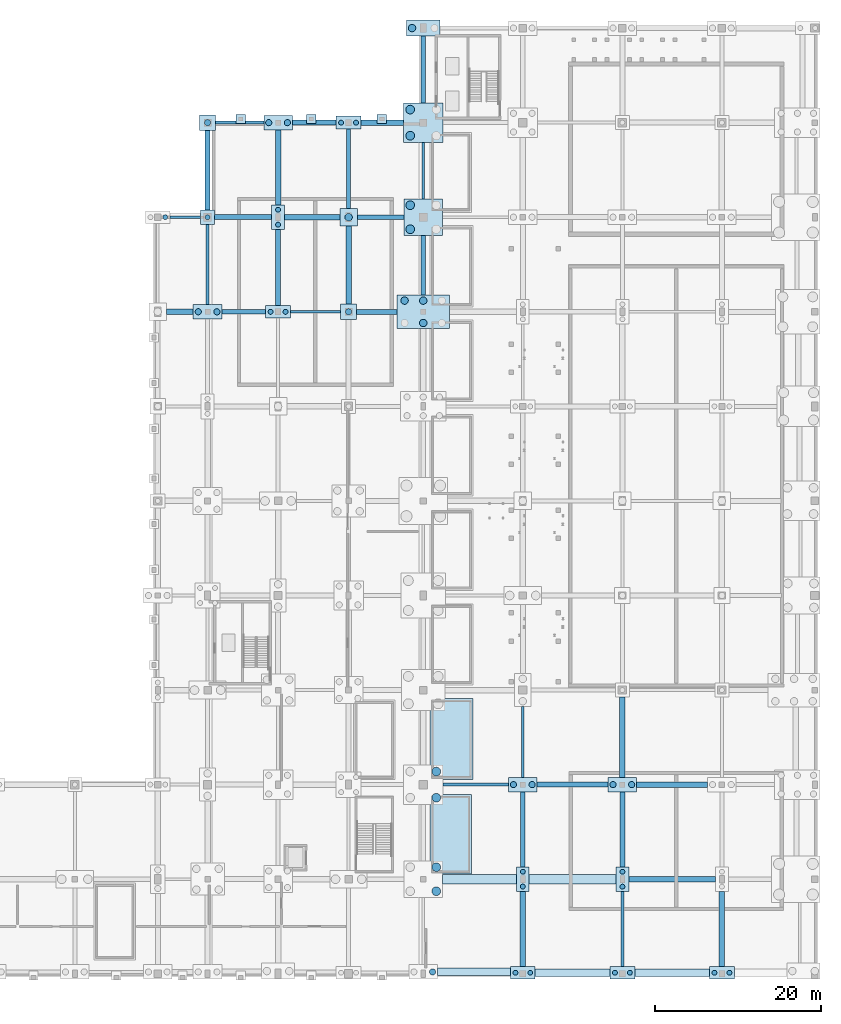
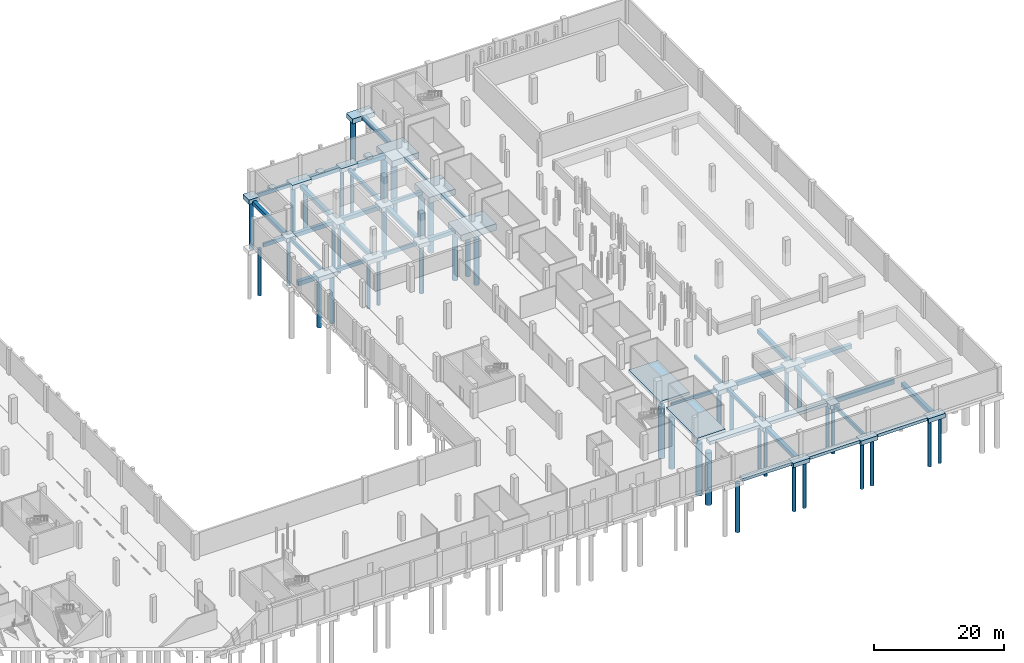
# One storey, part 7 of 34: 61 footings, 42 piles.
"""IFC4 building model written with IfcOpenShell, lengths in metres."""

from ifc_helpers import new_model, si_unit, direction, frame, origin, origin_2d, place, context, subcontext, project, spatial, rectangle, circle, extrude, material, material_profile, profile_set, type_object, element, save


model = new_model("IFC4")

# Units and contexts
model_context = context("Model", 3, precision=1e-05, world=origin(), true_north=direction((0.0, 1.0)))
body_context = subcontext(model_context, "Body", "Model", "MODEL_VIEW")
ifc_project = project(units=[si_unit("LENGTHUNIT", "METRE"), si_unit("AREAUNIT", "SQUARE_METRE"), si_unit("VOLUMEUNIT", "CUBIC_METRE"), si_unit("PLANEANGLEUNIT", "RADIAN"), si_unit("MASSUNIT", "GRAM", prefix="KILO"), si_unit("POWERUNIT", "WATT"), si_unit("THERMODYNAMICTEMPERATUREUNIT", "KELVIN")], contexts=[model_context])

# Site, building, storey
site_placement = place(None, origin())
site = spatial("IfcSite", under=ifc_project, at=site_placement, CompositionType="ELEMENT")
building_placement = place(site_placement, origin())
building = spatial("IfcBuilding", under=site, at=building_placement, Name="Kelmbourne Parkland Aquatics Centre", CompositionType="ELEMENT")
storey_placement = place(building_placement, frame((0.0, 0.0, -4.800048828125)))
storey = spatial("IfcBuildingStorey", under=building, at=storey_placement, Name="B1", CompositionType="ELEMENT", Elevation=-4.800048828125)

# Footings
ifc_material = material(Name="Waterproof concrete C50/60", Category="concrete")
footing_type_1 = type_object("IfcFootingType", Name="FT-FB1", PredefinedType="FOOTING_BEAM", material=ifc_material)
footing_1_placement = place(storey_placement, frame((106.362548828125, 80.60009765625, -1.099853515625), z_axis=(0.0, 0.0, 1.0), x_axis=(1.0, 0.0, 0.0)))
element("IfcFooting", 1, at=footing_1_placement, inside=storey, type_object=footing_type_1, Name="Ground tie beam M-N on Grid 11", PredefinedType="FOOTING_BEAM", context=body_context, shape_type="SweptSolid", body=[
    extrude(rectangle(XDim=5.27490234375, YDim=0.5, at=origin_2d()), origin(), (0.0, 0.0, 1.0), 0.64990234375),
])
footing_2_placement = place(storey_placement, frame((122.862548828125, 92.0, -1.099853515625), z_axis=(0.0, 0.0, 1.0), x_axis=(1.0, 0.0, 0.0)))
element("IfcFooting", 2, at=footing_2_placement, inside=storey, type_object=footing_type_1, Name="Ground tie beam O-P on Grid 12", PredefinedType="FOOTING_BEAM", context=body_context, shape_type="SweptSolid", body=[
    extrude(rectangle(XDim=5.625, YDim=0.5, at=origin_2d()), origin(), (0.0, 0.0, 1.0), 0.64990234375),
])
footing_3_placement = place(storey_placement, frame((119.0, 97.83740234375, -1.099853515625), z_axis=(0.0, 0.0, 1.0), x_axis=(0.0, 1.0, 0.0)))
element("IfcFooting", 3, at=footing_3_placement, inside=storey, type_object=footing_type_1, Name="Ground tie beam 12-13 on Grid O", PredefinedType="FOOTING_BEAM", context=body_context, shape_type="SweptSolid", body=[
    extrude(rectangle(XDim=9.574951171875, YDim=0.5, at=origin_2d()), origin(), (0.0, 0.0, 1.0), 0.64990234375),
])
footing_4_placement = place(storey_placement, frame((128.0, 86.199951171875, -1.099853515625), z_axis=(0.0, 0.0, 1.0), x_axis=(0.0, 1.0, 0.0)))
element("IfcFooting", 4, at=footing_4_placement, inside=storey, type_object=footing_type_1, Name="Ground tie beam 11-12 on Grid P", PredefinedType="FOOTING_BEAM", context=body_context, shape_type="SweptSolid", body=[
    extrude(rectangle(XDim=7.14990234375, YDim=0.5, at=origin_2d()), origin(), (0.0, 0.0, 1.0), 0.64990234375),
])
footing_5_placement = place(storey_placement, frame((140.0, 18.21240234375, -1.099853515625), z_axis=(0.0, 0.0, 1.0), x_axis=(0.0, 1.0, 0.0)))
element("IfcFooting", 5, at=footing_5_placement, inside=storey, type_object=footing_type_1, Name="Ground tie beam 03-04 on Grid Q", PredefinedType="FOOTING_BEAM", context=body_context, shape_type="SweptSolid", body=[
    extrude(rectangle(XDim=9.02490234375, YDim=0.5, at=origin_2d()), origin(), (0.0, 0.0, 1.0), 0.64990234375),
])
footing_type_2 = type_object("IfcFootingType", Name="FT-FB2", PredefinedType="FOOTING_BEAM", material=ifc_material)
footing_6_placement = place(storey_placement, frame((134.324951171875, 23.60009765625, -1.14990234375), z_axis=(0.0, 0.0, 1.0), x_axis=(1.0, 0.0, 0.0)))
element("IfcFooting", 6, at=footing_6_placement, inside=storey, type_object=footing_type_2, Name="Ground tie beam P-Q on Grid 04", PredefinedType="FOOTING_BEAM", context=body_context, shape_type="SweptSolid", body=[
    extrude(rectangle(XDim=7.89990234375, YDim=0.35009765625, at=origin_2d()), origin(), (0.0, 0.0, 1.0), 0.699951171875),
])
footing_7_placement = place(storey_placement, frame((115.02490234375, 80.60009765625, -1.14990234375), z_axis=(0.0, 0.0, 1.0), x_axis=(1.0, 0.0, 0.0)))
element("IfcFooting", 7, at=footing_7_placement, inside=storey, type_object=footing_type_2, Name="Ground tie beam N-O on Grid 11", PredefinedType="FOOTING_BEAM", context=body_context, shape_type="SweptSolid", body=[
    extrude(rectangle(XDim=6.050048828125, YDim=0.35009765625, at=origin_2d()), origin(), (0.0, 0.0, 1.0), 0.699951171875),
])
footing_8_placement = place(storey_placement, frame((99.324951171875, 92.0, -1.14990234375), z_axis=(0.0, 0.0, 1.0), x_axis=(1.0, 0.0, 0.0)))
element("IfcFooting", 8, at=footing_8_placement, inside=storey, type_object=footing_type_2, Name="Ground tie beam L-M on Grid 12", PredefinedType="FOOTING_BEAM", context=body_context, shape_type="SweptSolid", body=[
    extrude(rectangle(XDim=3.64990234375, YDim=0.35009765625, at=origin_2d()), origin(), (0.0, 0.0, 1.0), 0.699951171875),
])
footing_9_placement = place(storey_placement, frame((105.862548828125, 103.39990234375, -0.69970703125), z_axis=(0.0, 0.0, 1.0), x_axis=(1.0, 0.0, 0.0)))
element("IfcFooting", 9, at=footing_9_placement, inside=storey, type_object=footing_type_2, Name="Ground tie beam M-N on Grid 13", PredefinedType="FOOTING_BEAM", context=body_context, shape_type="SweptSolid", body=[
    extrude(rectangle(XDim=5.824951171875, YDim=0.35009765625, at=origin_2d()), origin(), (0.0, 0.0, 1.0), 0.699951171875),
])
footing_10_placement = place(storey_placement, frame((102.0, 86.3125, -1.14990234375), z_axis=(0.0, 0.0, 1.0), x_axis=(0.0, 1.0, 0.0)))
element("IfcFooting", 10, at=footing_10_placement, inside=storey, type_object=footing_type_2, Name="Ground tie beam 11-12 on Grid M", PredefinedType="FOOTING_BEAM", context=body_context, shape_type="SweptSolid", body=[
    extrude(rectangle(XDim=9.675048828125, YDim=0.35009765625, at=origin_2d()), origin(), (0.0, 0.0, 1.0), 0.699951171875),
])
footing_11_placement = place(storey_placement, frame((128.0, 97.625, -1.14990234375), z_axis=(0.0, 0.0, 1.0), x_axis=(0.0, 1.0, 0.0)))
element("IfcFooting", 11, at=footing_11_placement, inside=storey, type_object=footing_type_2, Name="Ground tie beam 12-13 on Grid P", PredefinedType="FOOTING_BEAM", context=body_context, shape_type="SweptSolid", body=[
    extrude(rectangle(XDim=6.800048828125, YDim=0.35009765625, at=origin_2d()), origin(), (0.0, 0.0, 1.0), 0.699951171875),
])
footing_12_placement = place(storey_placement, frame((140.0, 28.737548828125, -1.14990234375), z_axis=(0.0, 0.0, 1.0), x_axis=(0.0, 1.0, 0.0)))
element("IfcFooting", 12, at=footing_12_placement, inside=storey, type_object=footing_type_2, Name="Ground tie beam 04-05 on Grid Q", PredefinedType="FOOTING_BEAM", context=body_context, shape_type="SweptSolid", body=[
    extrude(rectangle(XDim=8.52490234375, YDim=0.35009765625, at=origin_2d()), origin(), (0.0, 0.0, 1.0), 0.699951171875),
])
footing_13_placement = place(storey_placement, frame((152.0, 6.199951171875, -1.14990234375), z_axis=(0.0, 0.0, 1.0), x_axis=(0.0, 1.0, 0.0)))
element("IfcFooting", 13, at=footing_13_placement, inside=storey, type_object=footing_type_2, Name="Ground tie beam 01-03 on Grid R", PredefinedType="FOOTING_BEAM", context=body_context, shape_type="SweptSolid", body=[
    extrude(rectangle(XDim=9.0, YDim=0.35009765625, at=origin_2d()), origin(), (0.0, 0.0, 1.0), 0.699951171875),
])
footing_type_3 = type_object("IfcFootingType", Name="FT-FB3", PredefinedType="FOOTING_BEAM", material=ifc_material)
footing_14_placement = place(storey_placement, frame((146.0, 23.60009765625, -1.199951171875), z_axis=(0.0, 0.0, 1.0), x_axis=(1.0, 0.0, 0.0)))
element("IfcFooting", 14, at=footing_14_placement, inside=storey, type_object=footing_type_3, Name="Ground tie beam Q-R on Grid 04", PredefinedType="FOOTING_BEAM", context=body_context, shape_type="SweptSolid", body=[
    extrude(rectangle(XDim=8.550048828125, YDim=0.60009765625, at=origin_2d()), origin(), (0.0, 0.0, 1.0), 0.75),
])
footing_15_placement = place(storey_placement, frame((122.39990234375, 80.60009765625, -1.199951171875), z_axis=(0.0, 0.0, 1.0), x_axis=(1.0, 0.0, 0.0)))
element("IfcFooting", 15, at=footing_15_placement, inside=storey, type_object=footing_type_3, Name="Ground tie beam O-P on Grid 11", PredefinedType="FOOTING_BEAM", context=body_context, shape_type="SweptSolid", body=[
    extrude(rectangle(XDim=4.89990234375, YDim=0.60009765625, at=origin_2d()), origin(), (0.0, 0.0, 1.0), 0.75),
])
footing_16_placement = place(storey_placement, frame((106.28759765625, 92.0, -1.199951171875), z_axis=(0.0, 0.0, 1.0), x_axis=(1.0, 0.0, 0.0)))
element("IfcFooting", 16, at=footing_16_placement, inside=storey, type_object=footing_type_3, Name="Ground tie beam M-N on Grid 12", PredefinedType="FOOTING_BEAM", context=body_context, shape_type="SweptSolid", body=[
    extrude(rectangle(XDim=6.875, YDim=0.60009765625, at=origin_2d()), origin(), (0.0, 0.0, 1.0), 0.75),
])
footing_17_placement = place(storey_placement, frame((114.862548828125, 103.39990234375, -0.75), z_axis=(0.0, 0.0, 1.0), x_axis=(1.0, 0.0, 0.0)))
element("IfcFooting", 17, at=footing_17_placement, inside=storey, type_object=footing_type_3, Name="Ground tie beam N-O on Grid 13", PredefinedType="FOOTING_BEAM", context=body_context, shape_type="SweptSolid", body=[
    extrude(rectangle(XDim=5.27490234375, YDim=0.60009765625, at=origin_2d()), origin(), (0.0, 0.0, 1.0), 0.75),
])
footing_18_placement = place(storey_placement, frame((102.0, 97.64990234375, -1.199951171875), z_axis=(0.0, 0.0, 1.0), x_axis=(0.0, 1.0, 0.0)))
element("IfcFooting", 18, at=footing_18_placement, inside=storey, type_object=footing_type_3, Name="Ground tie beam 12-13 on Grid M", PredefinedType="FOOTING_BEAM", context=body_context, shape_type="SweptSolid", body=[
    extrude(rectangle(XDim=9.60009765625, YDim=0.60009765625, at=origin_2d()), origin(), (0.0, 0.0, 1.0), 0.75),
])
footing_19_placement = place(storey_placement, frame((110.5, 85.9375, -1.199951171875), z_axis=(0.0, 0.0, 1.0), x_axis=(0.0, 1.0, 0.0)))
element("IfcFooting", 19, at=footing_19_placement, inside=storey, type_object=footing_type_3, Name="Ground tie beam 11-12 on Grid N", PredefinedType="FOOTING_BEAM", context=body_context, shape_type="SweptSolid", body=[
    extrude(rectangle(XDim=9.125, YDim=0.60009765625, at=origin_2d()), origin(), (0.0, 0.0, 1.0), 0.75),
])
footing_20_placement = place(storey_placement, frame((128.0, 109.800048828125, -1.199951171875), z_axis=(0.0, 0.0, 1.0), x_axis=(0.0, 1.0, 0.0)))
element("IfcFooting", 20, at=footing_20_placement, inside=storey, type_object=footing_type_3, Name="Ground tie beam 13-14 on Grid P", PredefinedType="FOOTING_BEAM", context=body_context, shape_type="SweptSolid", body=[
    extrude(rectangle(XDim=8.050048828125, YDim=0.60009765625, at=origin_2d()), origin(), (0.0, 0.0, 1.0), 0.75),
])
footing_21_placement = place(storey_placement, frame((152.0, 18.21240234375, -1.199951171875), z_axis=(0.0, 0.0, 1.0), x_axis=(0.0, 1.0, 0.0)))
element("IfcFooting", 21, at=footing_21_placement, inside=storey, type_object=footing_type_3, Name="Ground tie beam 03-04 on Grid R", PredefinedType="FOOTING_BEAM", context=body_context, shape_type="SweptSolid", body=[
    extrude(rectangle(XDim=9.02490234375, YDim=0.60009765625, at=origin_2d()), origin(), (0.0, 0.0, 1.0), 0.75),
])
footing_type_4 = type_object("IfcFootingType", Name="FT-FB4", PredefinedType="FOOTING_BEAM", material=ifc_material)
footing_22_placement = place(storey_placement, frame((158.0, 12.199951171875, -1.25), z_axis=(0.0, 0.0, 1.0), x_axis=(1.0, 0.0, 0.0)))
element("IfcFooting", 22, at=footing_22_placement, inside=storey, type_object=footing_type_4, Name="Ground tie beam R-S on Grid 03", PredefinedType="FOOTING_BEAM", context=body_context, shape_type="SweptSolid", body=[
    extrude(rectangle(XDim=10.449951171875, YDim=0.64990234375, at=origin_2d()), origin(), (0.0, 0.0, 1.0), 0.800048828125),
])
footing_23_placement = place(storey_placement, frame((158.0, 23.60009765625, -1.25), z_axis=(0.0, 0.0, 1.0), x_axis=(1.0, 0.0, 0.0)))
element("IfcFooting", 23, at=footing_23_placement, inside=storey, type_object=footing_type_4, Name="Ground tie beam R-S on Grid 04", PredefinedType="FOOTING_BEAM", context=body_context, shape_type="SweptSolid", body=[
    extrude(rectangle(XDim=8.550048828125, YDim=0.64990234375, at=origin_2d()), origin(), (0.0, 0.0, 1.0), 0.800048828125),
])
footing_24_placement = place(storey_placement, frame((98.66259765625, 80.60009765625, -1.25), z_axis=(0.0, 0.0, 1.0), x_axis=(1.0, 0.0, 0.0)))
element("IfcFooting", 24, at=footing_24_placement, inside=storey, type_object=footing_type_4, Name="Ground tie beam L-M on Grid 11", PredefinedType="FOOTING_BEAM", context=body_context, shape_type="SweptSolid", body=[
    extrude(rectangle(XDim=3.22509765625, YDim=0.64990234375, at=origin_2d()), origin(), (0.0, 0.0, 1.0), 0.800048828125),
])
footing_25_placement = place(storey_placement, frame((114.612548828125, 92.0, -1.25), z_axis=(0.0, 0.0, 1.0), x_axis=(1.0, 0.0, 0.0)))
element("IfcFooting", 25, at=footing_25_placement, inside=storey, type_object=footing_type_4, Name="Ground tie beam N-O on Grid 12", PredefinedType="FOOTING_BEAM", context=body_context, shape_type="SweptSolid", body=[
    extrude(rectangle(XDim=6.675048828125, YDim=0.64990234375, at=origin_2d()), origin(), (0.0, 0.0, 1.0), 0.800048828125),
])
footing_26_placement = place(storey_placement, frame((123.0625, 103.39990234375, -1.25), z_axis=(0.0, 0.0, 1.0), x_axis=(1.0, 0.0, 0.0)))
element("IfcFooting", 26, at=footing_26_placement, inside=storey, type_object=footing_type_4, Name="Ground tie beam O-P on Grid 13", PredefinedType="FOOTING_BEAM", context=body_context, shape_type="SweptSolid", body=[
    extrude(rectangle(XDim=5.125, YDim=0.64990234375, at=origin_2d()), origin(), (0.0, 0.0, 1.0), 0.800048828125),
])
footing_27_placement = place(storey_placement, frame((110.5, 98.012451171875, -1.25), z_axis=(0.0, 0.0, 1.0), x_axis=(0.0, 1.0, 0.0)))
element("IfcFooting", 27, at=footing_27_placement, inside=storey, type_object=footing_type_4, Name="Ground tie beam 12-13 on Grid N", PredefinedType="FOOTING_BEAM", context=body_context, shape_type="SweptSolid", body=[
    extrude(rectangle(XDim=9.02490234375, YDim=0.64990234375, at=origin_2d()), origin(), (0.0, 0.0, 1.0), 0.800048828125),
])
footing_28_placement = place(storey_placement, frame((119.0, 86.25, -1.25), z_axis=(0.0, 0.0, 1.0), x_axis=(0.0, 1.0, 0.0)))
element("IfcFooting", 28, at=footing_28_placement, inside=storey, type_object=footing_type_4, Name="Ground tie beam 11-12 on Grid O", PredefinedType="FOOTING_BEAM", context=body_context, shape_type="SweptSolid", body=[
    extrude(rectangle(XDim=9.39990234375, YDim=0.64990234375, at=origin_2d()), origin(), (0.0, 0.0, 1.0), 0.800048828125),
])
footing_29_placement = place(storey_placement, frame((140.0, 6.199951171875, -1.25), z_axis=(0.0, 0.0, 1.0), x_axis=(0.0, 1.0, 0.0)))
element("IfcFooting", 29, at=footing_29_placement, inside=storey, type_object=footing_type_4, Name="Ground tie beam 01-03 on Grid Q", PredefinedType="FOOTING_BEAM", context=body_context, shape_type="SweptSolid", body=[
    extrude(rectangle(XDim=9.0, YDim=0.64990234375, at=origin_2d()), origin(), (0.0, 0.0, 1.0), 0.800048828125),
])
footing_30_placement = place(storey_placement, frame((152.0, 29.3125, -1.25), z_axis=(0.0, 0.0, 1.0), x_axis=(0.0, 1.0, 0.0)))
element("IfcFooting", 30, at=footing_30_placement, inside=storey, type_object=footing_type_4, Name="Ground tie beam 04-05 on Grid R", PredefinedType="FOOTING_BEAM", context=body_context, shape_type="SweptSolid", body=[
    extrude(rectangle(XDim=9.675048828125, YDim=0.64990234375, at=origin_2d()), origin(), (0.0, 0.0, 1.0), 0.800048828125),
])
footing_31_placement = place(storey_placement, frame((164.0, 6.199951171875, -1.25), z_axis=(0.0, 0.0, 1.0), x_axis=(0.0, 1.0, 0.0)))
element("IfcFooting", 31, at=footing_31_placement, inside=storey, type_object=footing_type_4, Name="Ground tie beam 01-03 on Grid S", PredefinedType="FOOTING_BEAM", context=body_context, shape_type="SweptSolid", body=[
    extrude(rectangle(XDim=9.0, YDim=0.64990234375, at=origin_2d()), origin(), (0.0, 0.0, 1.0), 0.800048828125),
])
footing_type_5 = type_object("IfcFootingType", Name="FT-PC01", PredefinedType="PILE_CAP", material=ifc_material)
footing_32_placement = place(storey_placement, frame((102.0, 92.0, -1.199951171875), z_axis=(0.0, 0.0, 1.0), x_axis=(1.0, 0.0, 0.0)))
element("IfcFooting", 32, at=footing_32_placement, inside=storey, type_object=footing_type_5, Name="Bored pile cap PC-M-12", PredefinedType="PILE_CAP", context=body_context, shape_type="SweptSolid", body=[
    extrude(rectangle(XDim=1.699951171875, YDim=1.699951171875, at=origin_2d()), origin(), (0.0, 0.0, 1.0), 0.75),
])
footing_type_6 = type_object("IfcFootingType", Name="FT-PC02", PredefinedType="PILE_CAP", material=ifc_material)
for number, where, z_axis, x_axis, name in (
    (33, (102.0, 103.39990234375, -0.7998046875), (0.0, 0.0, 1.0), (1.0, 0.0, 0.0), "Bored pile cap PC-M-13"),
    (34, (119.0, 80.60009765625, -1.25), (0.0, 0.0, 1.0), (1.0, 0.0, 0.0), "Bored pile cap PC-O-11"),
):
    element("IfcFooting", number, at=place(storey_placement, frame(where, z_axis=z_axis, x_axis=x_axis)), inside=storey, type_object=footing_type_6, Name=name, PredefinedType="PILE_CAP", context=body_context, shape_type="SweptSolid", body=[
        extrude(rectangle(XDim=1.89990234375, YDim=1.89990234375, at=origin_2d()), origin(), (0.0, 0.0, 1.0), 0.800048828125),
    ])
footing_type_7 = type_object("IfcFootingType", Name="FT-PC03", PredefinedType="PILE_CAP", material=ifc_material)
footing_33_placement = place(storey_placement, frame((119.0, 92.0, -1.300048828125), z_axis=(0.0, 0.0, 1.0), x_axis=(1.0, 0.0, 0.0)))
element("IfcFooting", 35, at=footing_33_placement, inside=storey, type_object=footing_type_7, Name="Bored pile cap PC-O-12", PredefinedType="PILE_CAP", context=body_context, shape_type="SweptSolid", body=[
    extrude(rectangle(XDim=2.10009765625, YDim=2.10009765625, at=origin_2d()), origin(), (0.0, 0.0, 1.0), 0.85009765625),
])
footing_type_8 = type_object("IfcFootingType", Name="FT-PC04", PredefinedType="PILE_CAP", material=ifc_material)
for number, where, z_axis, x_axis, name in (
    (36, (110.5, 80.60009765625, -1.25), (0.0, 0.0, 1.0), (1.0, 0.0, 0.0), "Bored pile cap PC-N-11"),
    (37, (119.0, 103.39990234375, -0.7998046875), (0.0, 0.0, 1.0), (1.0, 0.0, 0.0), "Bored pile cap PC-O-13"),
    (38, (140.0, 0.925048828125, -1.25), (0.0, 0.0, 1.0), (1.0, 0.0, 0.0), "Bored pile cap PC-Q-01"),
    (39, (152.0, 0.925048828125, -1.25), (0.0, 0.0, 1.0), (1.0, 0.0, 0.0), "Bored pile cap PC-R-01"),
    (40, (164.0, 0.925048828125, -1.25), (0.0, 0.0, 1.0), (1.0, 0.0, 0.0), "Bored pile cap PC-S-01"),
):
    element("IfcFooting", number, at=place(storey_placement, frame(where, z_axis=z_axis, x_axis=x_axis)), inside=storey, type_object=footing_type_8, Name=name, PredefinedType="PILE_CAP", context=body_context, shape_type="SweptSolid", body=[
        extrude(rectangle(XDim=3.0, YDim=1.550048828125, at=origin_2d()), origin(), (0.0, 0.0, 1.0), 0.800048828125),
    ])
footing_type_9 = type_object("IfcFootingType", Name="FT-PC05", PredefinedType="PILE_CAP", material=ifc_material)
for number, where, z_axis, x_axis, name in (
    (41, (110.5, 92.0, -1.25), (0.0, 0.0, 1.0), (1.0, 0.0, 0.0), "Bored pile cap PC-N-12"),
    (42, (140.0, 12.199951171875, -1.25), (0.0, 0.0, 1.0), (1.0, 0.0, 0.0), "Bored pile cap PC-Q-03"),
    (43, (152.0, 12.199951171875, -1.25), (0.0, 0.0, 1.0), (1.0, 0.0, 0.0), "Bored pile cap PC-R-03"),
):
    element("IfcFooting", number, at=place(storey_placement, frame(where, z_axis=z_axis, x_axis=x_axis)), inside=storey, type_object=footing_type_9, Name=name, PredefinedType="PILE_CAP", context=body_context, shape_type="SweptSolid", body=[
        extrude(rectangle(XDim=1.550048828125, YDim=3.0, at=origin_2d()), origin(), (0.0, 0.0, 1.0), 0.800048828125),
    ])
footing_type_10 = type_object("IfcFootingType", Name="FT-PC06", PredefinedType="PILE_CAP", material=ifc_material)
for number, where, z_axis, x_axis, name in (
    (44, (102.0, 80.60009765625, -1.300048828125), (0.0, 0.0, 1.0), (1.0, 0.0, 0.0), "Bored pile cap PC-M-11"),
    (45, (110.5, 103.39990234375, -0.85009765625), (0.0, 0.0, 1.0), (1.0, 0.0, 0.0), "Bored pile cap PC-N-13"),
    (46, (140.0, 23.60009765625, -1.300048828125), (0.0, 0.0, 1.0), (1.0, 0.0, 0.0), "Bored pile cap PC-Q-04"),
    (47, (152.0, 23.60009765625, -1.300048828125), (0.0, 0.0, 1.0), (1.0, 0.0, 0.0), "Bored pile cap PC-R-04"),
):
    element("IfcFooting", number, at=place(storey_placement, frame(where, z_axis=z_axis, x_axis=x_axis)), inside=storey, type_object=footing_type_10, Name=name, PredefinedType="PILE_CAP", context=body_context, shape_type="SweptSolid", body=[
        extrude(rectangle(XDim=3.449951171875, YDim=1.75, at=origin_2d()), origin(), (0.0, 0.0, 1.0), 0.85009765625),
    ])
footing_type_11 = type_object("IfcFootingType", Name="FT-PC08", PredefinedType="PILE_CAP", material=ifc_material)
footing_34_placement = place(storey_placement, frame((128.0, 114.800048828125, -1.349853515625), z_axis=(0.0, 0.0, 1.0), x_axis=(1.0, 0.0, 0.0)))
element("IfcFooting", 48, at=footing_34_placement, inside=storey, type_object=footing_type_11, Name="Bored pile cap PC-P-14", PredefinedType="PILE_CAP", context=body_context, shape_type="SweptSolid", body=[
    extrude(rectangle(XDim=4.0, YDim=1.949951171875, at=origin_2d()), origin(), (0.0, 0.0, 1.0), 0.89990234375),
])
footing_type_12 = type_object("IfcFootingType", Name="FT-PC16", PredefinedType="PILE_CAP", material=ifc_material)
footing_35_placement = place(storey_placement, frame((128.0, 92.0, -1.550048828125), z_axis=(0.0, 0.0, 1.0), x_axis=(1.0, 0.0, 0.0)))
element("IfcFooting", 49, at=footing_35_placement, inside=storey, type_object=footing_type_12, Name="Bored pile cap PC-P-12", PredefinedType="PILE_CAP", context=body_context, shape_type="SweptSolid", body=[
    extrude(rectangle(XDim=4.64990234375, YDim=4.449951171875, at=origin_2d()), origin(), (0.0, 0.0, 1.0), 1.10009765625),
])
footing_type_13 = type_object("IfcFootingType", Name="FT-PC17", PredefinedType="PILE_CAP", material=ifc_material)
footing_36_placement = place(storey_placement, frame((128.0, 103.39990234375, -1.599853515625), z_axis=(0.0, 0.0, 1.0), x_axis=(1.0, 0.0, 0.0)))
element("IfcFooting", 50, at=footing_36_placement, inside=storey, type_object=footing_type_13, Name="Bored pile cap PC-P-13", PredefinedType="PILE_CAP", context=body_context, shape_type="SweptSolid", body=[
    extrude(rectangle(XDim=4.75, YDim=4.75, at=origin_2d()), origin(), (0.0, 0.0, 1.0), 1.14990234375),
])
footing_type_14 = type_object("IfcFootingType", Name="FT-PC22", PredefinedType="PILE_CAP", material=ifc_material)
footing_37_placement = place(storey_placement, frame((128.0, 80.60009765625, -1.64990234375), z_axis=(0.0, 0.0, 1.0), x_axis=(1.0, 0.0, 0.0)))
element("IfcFooting", 51, at=footing_37_placement, inside=storey, type_object=footing_type_14, Name="Bored pile cap PC-P-11", PredefinedType="PILE_CAP", context=body_context, shape_type="SweptSolid", body=[
    extrude(rectangle(XDim=6.300048828125, YDim=4.050048828125, at=origin_2d()), origin(), (0.0, 0.0, 1.0), 1.199951171875),
])
footing_type_15 = type_object("IfcFootingType", Name="FT-SF1", PredefinedType="STRIP_FOOTING", material=ifc_material)
footing_38_placement = place(storey_placement, frame((134.112548828125, 1.02490234375, -1.0), z_axis=(0.0, 0.0, 1.0), x_axis=(1.0, 0.0, 0.0)))
element("IfcFooting", 52, at=footing_38_placement, inside=storey, type_object=footing_type_15, Name="Pool wall strip footing SF-01", PredefinedType="STRIP_FOOTING", context=body_context, shape_type="SweptSolid", body=[
    extrude(rectangle(XDim=8.77490234375, YDim=0.89990234375, at=origin_2d()), origin(), (0.0, 0.0, 1.0), 0.550048828125),
])
for number, where, z_axis, x_axis, name in (
    (53, (146.0, 0.925048828125, -1.0), (0.0, 0.0, 1.0), (1.0, 0.0, 0.0), "Pool wall strip footing SF-02"),
    (54, (158.0, 0.925048828125, -1.0), (0.0, 0.0, 1.0), (1.0, 0.0, 0.0), "Pool wall strip footing SF-03"),
):
    element("IfcFooting", number, at=place(storey_placement, frame(where, z_axis=z_axis, x_axis=x_axis)), inside=storey, type_object=footing_type_15, Name=name, PredefinedType="STRIP_FOOTING", context=body_context, shape_type="SweptSolid", body=[
        extrude(rectangle(XDim=9.0, YDim=0.89990234375, at=origin_2d()), origin(), (0.0, 0.0, 1.0), 0.550048828125),
    ])
for number, where, z_axis, x_axis, name in (
    (55, (106.0, 103.85009765625, -0.5498046875), (0.0, 0.0, 1.0), (1.0, 0.0, 0.0), "Brick buttress footing NV4-055"),
    (56, (114.5, 103.85009765625, -0.5498046875), (0.0, 0.0, 1.0), (1.0, 0.0, 0.0), "Brick buttress footing NV4-056"),
    (57, (123.0, 103.85009765625, -0.5498046875), (0.0, 0.0, 1.0), (1.0, 0.0, 0.0), "Brick buttress footing NV4-057"),
):
    element("IfcFooting", number, at=place(storey_placement, frame(where, z_axis=z_axis, x_axis=x_axis)), inside=storey, type_object=footing_type_15, Name=name, PredefinedType="STRIP_FOOTING", context=body_context, shape_type="SweptSolid", body=[
        extrude(rectangle(XDim=1.10009765625, YDim=1.10009765625, at=origin_2d()), origin(), (0.0, 0.0, 1.0), 0.550048828125),
    ])
footing_39_placement = place(storey_placement, frame((131.300048828125, 17.60009765625, -0.5), z_axis=(0.0, 0.0, 1.0), x_axis=(1.0, 0.0, 0.0)))
element("IfcFooting", 58, at=footing_39_placement, inside=storey, type_object=footing_type_15, Name="Main Bowl South Concourse Exit Stair foundation pad", PredefinedType="STRIP_FOOTING", context=body_context, shape_type="SweptSolid", body=[
    extrude(rectangle(XDim=5.0, YDim=9.60009765625, at=origin_2d()), origin(), (0.0, 0.0, 1.0), 0.5),
])
footing_40_placement = place(storey_placement, frame((131.39990234375, 29.10009765625, -0.5), z_axis=(0.0, 0.0, 1.0), x_axis=(1.0, 0.0, 0.0)))
element("IfcFooting", 59, at=footing_40_placement, inside=storey, type_object=footing_type_15, Name="Spectator Bowl Exit Stair Bay 3 foundation pad", PredefinedType="STRIP_FOOTING", context=body_context, shape_type="SweptSolid", body=[
    extrude(rectangle(XDim=5.199951171875, YDim=9.800048828125, at=origin_2d()), origin(), (0.0, 0.0, 1.0), 0.5),
])
footing_type_16 = type_object("IfcFootingType", Name="FT-SF2", PredefinedType="STRIP_FOOTING", material=ifc_material)
footing_41_placement = place(storey_placement, frame((134.77490234375, 12.199951171875, -1.050048828125), z_axis=(0.0, 0.0, 1.0), x_axis=(1.0, 0.0, 0.0)))
element("IfcFooting", 60, at=footing_41_placement, inside=storey, type_object=footing_type_16, Name="Pool wall strip footing SF-05", PredefinedType="STRIP_FOOTING", context=body_context, shape_type="SweptSolid", body=[
    extrude(rectangle(XDim=8.89990234375, YDim=1.10009765625, at=origin_2d()), origin(), (0.0, 0.0, 1.0), 0.60009765625),
])
footing_42_placement = place(storey_placement, frame((146.0, 12.199951171875, -1.050048828125), z_axis=(0.0, 0.0, 1.0), x_axis=(1.0, 0.0, 0.0)))
element("IfcFooting", 61, at=footing_42_placement, inside=storey, type_object=footing_type_16, Name="Pool wall strip footing SF-06", PredefinedType="STRIP_FOOTING", context=body_context, shape_type="SweptSolid", body=[
    extrude(rectangle(XDim=10.449951171875, YDim=1.10009765625, at=origin_2d()), origin(), (0.0, 0.0, 1.0), 0.60009765625),
])

# Piles
ifc_material_profile_1 = material_profile(ifc_material, circle(Radius=0.52490234375, at=origin_2d()), Name="PILE D1050")
ifc_profile_set_1 = profile_set([ifc_material_profile_1], Name="Waterproof concrete C50/60")
pile_type_1 = type_object("IfcPileType", Name="PL-1050", PredefinedType="BORED", material=ifc_profile_set_1)
for number, where, z_axis, x_axis, name in (
    (62, (129.574951171875, 10.75, -1.449951171875), (0.0, 0.0, -1.0), (1.0, 0.0, 0.0), "Rock-socketed bored pile P-03-2"),
    (63, (129.574951171875, 13.64990234375, -1.449951171875), (0.0, 0.0, -1.0), (1.0, 0.0, 0.0), "Rock-socketed bored pile P-03-4"),
    (64, (129.574951171875, 22.02490234375, -1.5), (0.0, 0.0, -1.0), (1.0, 0.0, 0.0), "Rock-socketed bored pile P-04-2"),
    (65, (129.574951171875, 25.175048828125, -1.5), (0.0, 0.0, -1.0), (1.0, 0.0, 0.0), "Rock-socketed bored pile P-04-4"),
    (66, (126.425048828125, 90.550048828125, -1.449951171875), (0.0, 0.0, -1.0), (1.0, 0.0, 0.0), "Rock-socketed bored pile P-12-1"),
    (67, (126.425048828125, 93.449951171875, -1.449951171875), (0.0, 0.0, -1.0), (1.0, 0.0, 0.0), "Rock-socketed bored pile P-12-3"),
    (68, (126.425048828125, 101.824951171875, -1.5), (0.0, 0.0, -1.0), (1.0, 0.0, 0.0), "Rock-socketed bored pile P-13-1"),
    (69, (126.425048828125, 104.97509765625, -1.5), (0.0, 0.0, -1.0), (1.0, 0.0, 0.0), "Rock-socketed bored pile P-13-3"),
):
    element("IfcPile", number, at=place(storey_placement, frame(where, z_axis=z_axis, x_axis=x_axis)), inside=storey, type_object=pile_type_1, Name=name, PredefinedType="BORED", context=body_context, shape_type="SweptSolid", body=[
        extrude(circle(Radius=0.52490234375, at=origin_2d()), origin(), (0.0, 0.0, 1.0), 9.800048828125),
    ])
ifc_material_profile_2 = material_profile(ifc_material, circle(Radius=0.300048828125, at=origin_2d()), Name="PILE D600")
ifc_profile_set_2 = profile_set([ifc_material_profile_2], Name="Waterproof concrete C50/60")
pile_type_2 = type_object("IfcPileType", Name="PL-600", PredefinedType="BORED", material=ifc_profile_set_2)
for number, where, z_axis, x_axis, name in (
    (70, (96.89990234375, 92.0, -1.14990234375), (0.0, 0.0, -1.0), (1.0, 0.0, 0.0), "Rock-socketed bored pile L-12-2"),
    (71, (102.0, 92.0, -1.099853515625), (0.0, 0.0, -1.0), (1.0, 0.0, 0.0), "Rock-socketed bored pile M-12-1"),
    (72, (109.60009765625, 80.60009765625, -1.14990234375), (0.0, 0.0, -1.0), (1.0, 0.0, 0.0), "Rock-socketed bored pile N-11-1"),
    (73, (111.39990234375, 80.60009765625, -1.14990234375), (0.0, 0.0, -1.0), (1.0, 0.0, 0.0), "Rock-socketed bored pile N-11-2"),
    (74, (110.5, 91.10009765625, -1.14990234375), (0.0, 0.0, -1.0), (1.0, 0.0, 0.0), "Rock-socketed bored pile N-12-1"),
    (75, (110.5, 92.89990234375, -1.14990234375), (0.0, 0.0, -1.0), (1.0, 0.0, 0.0), "Rock-socketed bored pile N-12-2"),
    (76, (118.10009765625, 103.39990234375, -0.699951171875), (0.0, 0.0, -1.0), (1.0, 0.0, 0.0), "Rock-socketed bored pile O-13-1"),
    (77, (119.89990234375, 103.39990234375, -0.699951171875), (0.0, 0.0, -1.0), (1.0, 0.0, 0.0), "Rock-socketed bored pile O-13-2"),
    (78, (139.10009765625, 0.925048828125, -1.14990234375), (0.0, 0.0, -1.0), (1.0, 0.0, 0.0), "Rock-socketed bored pile Q-01-1"),
    (79, (140.89990234375, 0.925048828125, -1.14990234375), (0.0, 0.0, -1.0), (1.0, 0.0, 0.0), "Rock-socketed bored pile Q-01-2"),
    (80, (140.0, 11.300048828125, -1.14990234375), (0.0, 0.0, -1.0), (1.0, 0.0, 0.0), "Rock-socketed bored pile Q-03-1"),
    (81, (140.0, 13.10009765625, -1.14990234375), (0.0, 0.0, -1.0), (1.0, 0.0, 0.0), "Rock-socketed bored pile Q-03-2"),
    (82, (151.10009765625, 0.925048828125, -1.14990234375), (0.0, 0.0, -1.0), (1.0, 0.0, 0.0), "Rock-socketed bored pile R-01-1"),
    (83, (152.89990234375, 0.925048828125, -1.14990234375), (0.0, 0.0, -1.0), (1.0, 0.0, 0.0), "Rock-socketed bored pile R-01-2"),
    (84, (152.0, 11.300048828125, -1.14990234375), (0.0, 0.0, -1.0), (1.0, 0.0, 0.0), "Rock-socketed bored pile R-03-1"),
    (85, (152.0, 13.10009765625, -1.14990234375), (0.0, 0.0, -1.0), (1.0, 0.0, 0.0), "Rock-socketed bored pile R-03-2"),
    (86, (163.10009765625, 0.925048828125, -1.14990234375), (0.0, 0.0, -1.0), (1.0, 0.0, 0.0), "Rock-socketed bored pile S-01-1"),
    (87, (164.89990234375, 0.925048828125, -1.14990234375), (0.0, 0.0, -1.0), (1.0, 0.0, 0.0), "Rock-socketed bored pile S-01-2"),
):
    element("IfcPile", number, at=place(storey_placement, frame(where, z_axis=z_axis, x_axis=x_axis)), inside=storey, type_object=pile_type_2, Name=name, PredefinedType="BORED", context=body_context, shape_type="SweptSolid", body=[
        extrude(circle(Radius=0.300048828125, at=origin_2d()), origin(), (0.0, 0.0, 1.0), 8.800048828125),
    ])
ifc_material_profile_3 = material_profile(ifc_material, circle(Radius=0.375, at=origin_2d()), Name="PILE D750")
ifc_profile_set_3 = profile_set([ifc_material_profile_3], Name="Waterproof concrete C50/60")
pile_type_3 = type_object("IfcPileType", Name="PL-750", PredefinedType="BORED", material=ifc_profile_set_3)
for number, where, z_axis, x_axis, name in (
    (88, (100.875, 80.60009765625, -1.199951171875), (0.0, 0.0, -1.0), (1.0, 0.0, 0.0), "Rock-socketed bored pile M-11-1"),
    (89, (103.125, 80.60009765625, -1.199951171875), (0.0, 0.0, -1.0), (1.0, 0.0, 0.0), "Rock-socketed bored pile M-11-2"),
    (90, (102.0, 103.39990234375, -0.699951171875), (0.0, 0.0, -1.0), (1.0, 0.0, 0.0), "Rock-socketed bored pile M-13-1"),
    (91, (109.375, 103.39990234375, -0.75), (0.0, 0.0, -1.0), (1.0, 0.0, 0.0), "Rock-socketed bored pile N-13-1"),
    (92, (111.625, 103.39990234375, -0.75), (0.0, 0.0, -1.0), (1.0, 0.0, 0.0), "Rock-socketed bored pile N-13-2"),
    (93, (119.0, 80.60009765625, -1.14990234375), (0.0, 0.0, -1.0), (1.0, 0.0, 0.0), "Rock-socketed bored pile O-11-1"),
    (94, (129.125, 1.02490234375, -1.199951171875), (0.0, 0.0, -1.0), (1.0, 0.0, 0.0), "Rock-socketed bored pile P-01-2"),
    (95, (138.875, 23.60009765625, -1.199951171875), (0.0, 0.0, -1.0), (1.0, 0.0, 0.0), "Rock-socketed bored pile Q-04-1"),
    (96, (141.125, 23.60009765625, -1.199951171875), (0.0, 0.0, -1.0), (1.0, 0.0, 0.0), "Rock-socketed bored pile Q-04-2"),
    (97, (150.875, 23.60009765625, -1.199951171875), (0.0, 0.0, -1.0), (1.0, 0.0, 0.0), "Rock-socketed bored pile R-04-1"),
    (98, (153.125, 23.60009765625, -1.199951171875), (0.0, 0.0, -1.0), (1.0, 0.0, 0.0), "Rock-socketed bored pile R-04-2"),
):
    element("IfcPile", number, at=place(storey_placement, frame(where, z_axis=z_axis, x_axis=x_axis)), inside=storey, type_object=pile_type_3, Name=name, PredefinedType="BORED", context=body_context, shape_type="SweptSolid", body=[
        extrude(circle(Radius=0.375, at=origin_2d()), origin(), (0.0, 0.0, 1.0), 9.199951171875),
    ])
ifc_material_profile_4 = material_profile(ifc_material, circle(Radius=0.449951171875, at=origin_2d()), Name="PILE D900")
ifc_profile_set_4 = profile_set([ifc_material_profile_4], Name="Waterproof concrete C50/60")
pile_type_4 = type_object("IfcPileType", Name="PL-900", PredefinedType="BORED", material=ifc_profile_set_4)
for number, where, z_axis, x_axis, name in (
    (99, (119.0, 92.0, -1.199951171875), (0.0, 0.0, -1.0), (1.0, 0.0, 0.0), "Rock-socketed bored pile O-12-1"),
    (100, (128.0, 79.25, -1.550048828125), (0.0, 0.0, -1.0), (1.0, 0.0, 0.0), "Rock-socketed bored pile P-11-2"),
    (101, (125.75, 81.949951171875, -1.550048828125), (0.0, 0.0, -1.0), (1.0, 0.0, 0.0), "Rock-socketed bored pile P-11-4"),
    (102, (128.0, 81.949951171875, -1.550048828125), (0.0, 0.0, -1.0), (1.0, 0.0, 0.0), "Rock-socketed bored pile P-11-5"),
    (103, (126.64990234375, 114.800048828125, -1.25), (0.0, 0.0, -1.0), (1.0, 0.0, 0.0), "Rock-socketed bored pile P-14-1"),
):
    element("IfcPile", number, at=place(storey_placement, frame(where, z_axis=z_axis, x_axis=x_axis)), inside=storey, type_object=pile_type_4, Name=name, PredefinedType="BORED", context=body_context, shape_type="SweptSolid", body=[
        extrude(circle(Radius=0.449951171875, at=origin_2d()), origin(), (0.0, 0.0, 1.0), 9.5),
    ])

save(model, "model.ifc")
